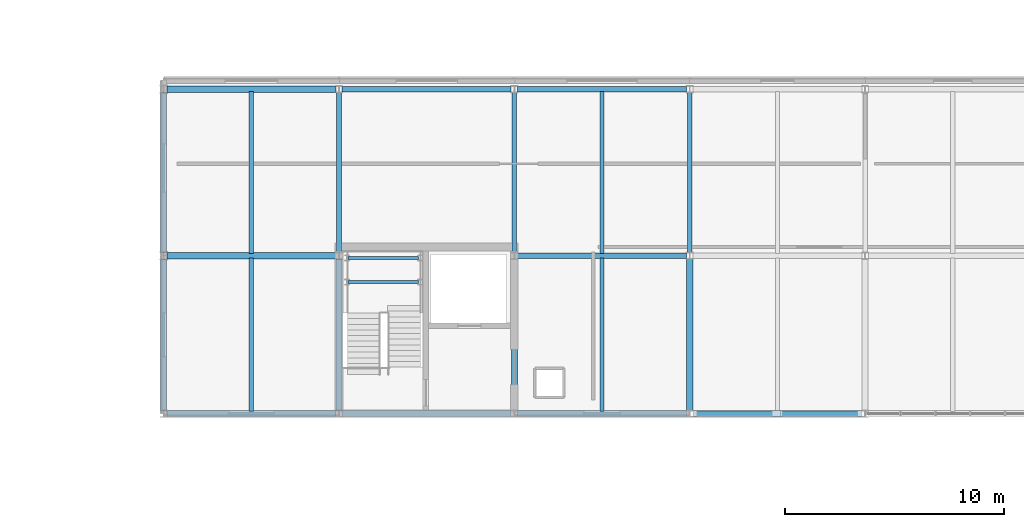
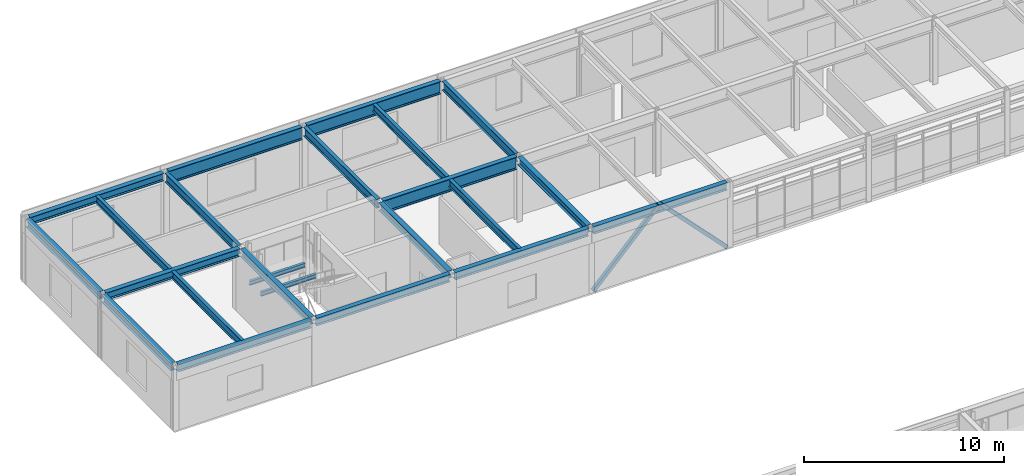
# One storey, part 20 of 45: 23 beams, 2 members.
"""IFC4 building model written with IfcOpenShell, lengths in metres."""

from ifc_helpers import new_model, si_unit, direction, frame, origin, origin_2d, place, context, subcontext, project, spatial, hollow_rectangle, i_section, extrude, material, material_profile, profile_set, type_object, element, save


model = new_model("IFC4")

# Units and contexts
model_context = context("Model", 3, precision=1e-05, world=origin(), true_north=direction((0.0, 1.0)))
body_context = subcontext(model_context, "Body", "Model", "MODEL_VIEW")
ifc_project = project(units=[si_unit("LENGTHUNIT", "METRE"), si_unit("AREAUNIT", "SQUARE_METRE"), si_unit("VOLUMEUNIT", "CUBIC_METRE"), si_unit("PLANEANGLEUNIT", "RADIAN"), si_unit("MASSUNIT", "GRAM", prefix="KILO")], contexts=[model_context])

# Site, building, storey
site_placement = place(None, origin())
site = spatial("IfcSite", under=ifc_project, at=site_placement, CompositionType="ELEMENT")
building_placement = place(site_placement, origin())
building = spatial("IfcBuilding", under=site, at=building_placement, Name="Zulena Civic Courthouse", CompositionType="ELEMENT")
storey_placement = place(building_placement, frame((0.0, 0.0, 29.39990234375)))
storey = spatial("IfcBuildingStorey", under=building, at=storey_placement, Name="L06", CompositionType="ELEMENT", Elevation=29.39990234375)

# Members
ifc_material_1 = material(Name="Steel ASTM A500 Grade C", Category="steel")
ifc_material_profile_1 = material_profile(ifc_material_1, hollow_rectangle(XDim=0.202880859375, YDim=0.202880859375, WallThickness=0.01171875, at=origin_2d()), Name="HSS8X8X1/2")
ifc_profile_set_1 = profile_set([ifc_material_profile_1], Name="Steel ASTM A500 Grade C")
member_type = type_object("IfcMemberType", Name="Brace_HSS8", PredefinedType="BRACE", material=ifc_profile_set_1)
for number, where, z_axis, x_axis, name in (
    (1, (36.14990234375, 46.0, 0.010009765625), (0.693277822184, 0.0, 0.72067042486), (0.0, 1.0, 0.0), "brace:V5:L06:5:0"),
    (2, (43.85009765625, 46.0, 0.010009765625), (-0.693277822184, 0.0, 0.72067042486), (0.0, -1.0, 0.0), "brace:V5:L06:5:1"),
):
    element("IfcMember", number, at=place(storey_placement, frame(where, z_axis=z_axis, x_axis=x_axis)), inside=storey, type_object=member_type, Name=name, PredefinedType="BRACE", context=body_context, shape_type="SweptSolid", body=[
        extrude(hollow_rectangle(XDim=0.202880859375, YDim=0.202880859375, WallThickness=0.01171875, at=origin_2d()), origin(), (0.0, 0.0, 1.0), 5.481201171875),
    ])

# Beams
ifc_material_2 = material(Name="Steel ASTM A992 Grade 50", Category="steel")
ifc_material_profile_2 = material_profile(ifc_material_2, i_section(OverallWidth=0.2099609375, OverallDepth=0.537109375, WebThickness=0.010986328125, FlangeThickness=0.017333984375, FilletRadius=0.0126953125, at=origin_2d()), Name="W21X68")
ifc_profile_set_2 = profile_set([ifc_material_profile_2], Name="Steel ASTM A992 Grade 50")
beam_type_1 = type_object("IfcBeamType", Name="Girder_W21X68", PredefinedType="BEAM", material=ifc_profile_set_2)
for number, where, z_axis, x_axis, name in (
    (3, (20.0, 53.344970703125, 3.7216796875), (0.0, 1.0, 0.0), (-1.0, 0.0, 0.0), "beam:Y:V5:L06:20.0:53.2_60.8"),
    (4, (28.0, 53.344970703125, 3.731689453125), (0.0, 1.0, 0.0), (-1.0, 0.0, 0.0), "beam:Y:V5:L06:28.0:53.2_60.8"),
    (5, (36.0, 53.344970703125, 3.731689453125), (0.0, 1.0, 0.0), (-1.0, 0.0, 0.0), "beam:Y:V5:L06:36.0:53.2_60.8"),
):
    element("IfcBeam", number, at=place(storey_placement, frame(where, z_axis=z_axis, x_axis=x_axis)), inside=storey, type_object=beam_type_1, Name=name, PredefinedType="BEAM", context=body_context, shape_type="SweptSolid", body=[
        extrude(i_section(OverallWidth=0.2099609375, OverallDepth=0.537109375, WebThickness=0.010986328125, FlangeThickness=0.017333984375, FilletRadius=0.0126953125, at=origin_2d()), origin(), (0.0, 0.0, 1.0), 7.31005859375),
    ])
ifc_material_profile_3 = material_profile(ifc_material_2, i_section(OverallWidth=0.26611328125, OverallDepth=0.779052734375, WebThickness=0.0166015625, FlangeThickness=0.030029296875, FilletRadius=0.0166015625, at=origin_2d()), Name="W30X148")
ifc_profile_set_3 = profile_set([ifc_material_profile_3], Name="Steel ASTM A992 Grade 50")
beam_type_2 = type_object("IfcBeamType", Name="Girder_W30X148", PredefinedType="BEAM", material=ifc_profile_set_3)
for number, where, z_axis, x_axis, name in (
    (6, (28.14501953125, 53.199951171875, 3.610595703125), (1.0, 0.0, 0.0), (0.0, 1.0, 0.0), "beam:X:V5:L06:53.2:28.0_36.0"),
    (7, (20.14501953125, 60.800048828125, 3.610595703125), (1.0, 0.0, 0.0), (0.0, 1.0, 0.0), "beam:X:V5:L06:60.8:20.0_28.0"),
    (8, (28.14501953125, 60.800048828125, 3.610595703125), (1.0, 0.0, 0.0), (0.0, 1.0, 0.0), "beam:X:V5:L06:60.8:28.0_36.0"),
):
    element("IfcBeam", number, at=place(storey_placement, frame(where, z_axis=z_axis, x_axis=x_axis)), inside=storey, type_object=beam_type_2, Name=name, PredefinedType="BEAM", context=body_context, shape_type="SweptSolid", body=[
        extrude(i_section(OverallWidth=0.26611328125, OverallDepth=0.779052734375, WebThickness=0.0166015625, FlangeThickness=0.030029296875, FilletRadius=0.0166015625, at=origin_2d()), origin(), (0.0, 0.0, 1.0), 7.7099609375),
    ])
ifc_material_profile_4 = material_profile(ifc_material_2, i_section(OverallWidth=0.14599609375, OverallDepth=0.258056640625, WebThickness=0.006103515625, FlangeThickness=0.009033203125, FilletRadius=0.007568359375, at=origin_2d()), Name="W10X22")
ifc_profile_set_4 = profile_set([ifc_material_profile_4], Name="Steel ASTM A992 Grade 50")
beam_type_3 = type_object("IfcBeamType", Name="Joist_W10X22", PredefinedType="JOIST", material=ifc_profile_set_4)
for number, where, z_axis, x_axis, name in (
    (9, (20.419921875, 52.0, 1.691162109375), (1.0, 0.0, 0.0), (0.0, 1.0, 0.0), "beam:lnd:K5A:L06:0"),
    (10, (20.419921875, 53.10009765625, 1.691162109375), (1.0, 0.0, 0.0), (0.0, 1.0, 0.0), "beam:lnd:K5A:L06:1"),
):
    element("IfcBeam", number, at=place(storey_placement, frame(where, z_axis=z_axis, x_axis=x_axis)), inside=storey, type_object=beam_type_3, Name=name, PredefinedType="JOIST", context=body_context, shape_type="SweptSolid", body=[
        extrude(i_section(OverallWidth=0.14599609375, OverallDepth=0.258056640625, WebThickness=0.006103515625, FlangeThickness=0.009033203125, FilletRadius=0.007568359375, at=origin_2d()), origin(), (0.0, 0.0, 1.0), 3.2001953125),
    ])
ifc_material_profile_5 = material_profile(ifc_material_2, i_section(OverallWidth=0.19091796875, OverallDepth=0.4599609375, WebThickness=0.010009765625, FlangeThickness=0.01611328125, FilletRadius=0.01025390625, at=origin_2d()), Name="W18X55")
ifc_profile_set_5 = profile_set([ifc_material_profile_5], Name="Steel ASTM A992 Grade 50")
beam_type_4 = type_object("IfcBeamType", Name="Joist_W18X55", PredefinedType="JOIST", material=ifc_profile_set_5)
beam_1_placement = place(storey_placement, frame((16.0, 46.10498046875, 3.760009765625), z_axis=(0.0, 1.0, 0.0), x_axis=(-1.0, 0.0, 0.0)))
element("IfcBeam", 11, at=beam_1_placement, inside=storey, type_object=beam_type_4, Name="joist:V5:L06:16.00:46.0_53.2", PredefinedType="JOIST", context=body_context, shape_type="SweptSolid", body=[
    extrude(i_section(OverallWidth=0.19091796875, OverallDepth=0.4599609375, WebThickness=0.010009765625, FlangeThickness=0.01611328125, FilletRadius=0.01025390625, at=origin_2d()), origin(), (0.0, 0.0, 1.0), 6.989990234375),
])
beam_2_placement = place(storey_placement, frame((16.0, 53.304931640625, 3.760009765625), z_axis=(0.0, 1.0, 0.0), x_axis=(-1.0, 0.0, 0.0)))
element("IfcBeam", 12, at=beam_2_placement, inside=storey, type_object=beam_type_4, Name="joist:V5:L06:16.00:53.2_60.8", PredefinedType="JOIST", context=body_context, shape_type="SweptSolid", body=[
    extrude(i_section(OverallWidth=0.19091796875, OverallDepth=0.4599609375, WebThickness=0.010009765625, FlangeThickness=0.01611328125, FilletRadius=0.01025390625, at=origin_2d()), origin(), (0.0, 0.0, 1.0), 7.39013671875),
])
beam_3_placement = place(storey_placement, frame((32.0, 46.10498046875, 3.77001953125), z_axis=(0.0, 1.0, 0.0), x_axis=(-1.0, 0.0, 0.0)))
element("IfcBeam", 13, at=beam_3_placement, inside=storey, type_object=beam_type_4, Name="joist:V5:L06:32.00:46.0_53.2", PredefinedType="JOIST", context=body_context, shape_type="SweptSolid", body=[
    extrude(i_section(OverallWidth=0.19091796875, OverallDepth=0.4599609375, WebThickness=0.010009765625, FlangeThickness=0.01611328125, FilletRadius=0.01025390625, at=origin_2d()), origin(), (0.0, 0.0, 1.0), 6.989990234375),
])
beam_4_placement = place(storey_placement, frame((32.0, 53.304931640625, 3.77001953125), z_axis=(0.0, 1.0, 0.0), x_axis=(-1.0, 0.0, 0.0)))
element("IfcBeam", 14, at=beam_4_placement, inside=storey, type_object=beam_type_4, Name="joist:V5:L06:32.00:53.2_60.8", PredefinedType="JOIST", context=body_context, shape_type="SweptSolid", body=[
    extrude(i_section(OverallWidth=0.19091796875, OverallDepth=0.4599609375, WebThickness=0.010009765625, FlangeThickness=0.01611328125, FilletRadius=0.01025390625, at=origin_2d()), origin(), (0.0, 0.0, 1.0), 7.39013671875),
])
ifc_material_profile_6 = material_profile(ifc_material_2, i_section(OverallWidth=0.280029296875, OverallDepth=0.462890625, WebThickness=0.0107421875, FlangeThickness=0.017333984375, FilletRadius=0.01025390625, at=origin_2d()), Name="W18X76")
ifc_profile_set_6 = profile_set([ifc_material_profile_6], Name="Steel ASTM A992 Grade 50")
beam_type_5 = type_object("IfcBeamType", Name="Spandrel_W18X76", PredefinedType="SPANDREL", material=ifc_profile_set_6)
for number, where, z_axis, x_axis, name in (
    (15, (12.14501953125, 46.0, 3.758544921875), (1.0, 0.0, 0.0), (0.0, 1.0, 0.0), "beam:X:V5:L06:46.0:12.0_20.0"),
    (16, (20.14501953125, 46.0, 3.7685546875), (1.0, 0.0, 0.0), (0.0, 1.0, 0.0), "beam:X:V5:L06:46.0:20.0_28.0"),
    (17, (28.14501953125, 46.0, 3.7685546875), (1.0, 0.0, 0.0), (0.0, 1.0, 0.0), "beam:X:V5:L06:46.0:28.0_36.0"),
    (18, (36.14501953125, 46.0, 3.7685546875), (1.0, 0.0, 0.0), (0.0, 1.0, 0.0), "beam:X:V5:L06:46.0:36.0_44.0"),
    (19, (12.14501953125, 53.199951171875, 3.758544921875), (1.0, 0.0, 0.0), (0.0, 1.0, 0.0), "beam:X:V5:L06:53.2:12.0_20.0"),
    (20, (12.14501953125, 60.800048828125, 3.758544921875), (1.0, 0.0, 0.0), (0.0, 1.0, 0.0), "beam:X:V5:L06:60.8:12.0_20.0"),
):
    element("IfcBeam", number, at=place(storey_placement, frame(where, z_axis=z_axis, x_axis=x_axis)), inside=storey, type_object=beam_type_5, Name=name, PredefinedType="SPANDREL", context=body_context, shape_type="SweptSolid", body=[
        extrude(i_section(OverallWidth=0.280029296875, OverallDepth=0.462890625, WebThickness=0.0107421875, FlangeThickness=0.017333984375, FilletRadius=0.01025390625, at=origin_2d()), origin(), (0.0, 0.0, 1.0), 7.7099609375),
    ])
beam_5_placement = place(storey_placement, frame((12.0, 46.14501953125, 3.758544921875), z_axis=(0.0, 1.0, 0.0), x_axis=(-1.0, 0.0, 0.0)))
element("IfcBeam", 21, at=beam_5_placement, inside=storey, type_object=beam_type_5, Name="beam:Y:V5:L06:12.0:46.0_53.2", PredefinedType="SPANDREL", context=body_context, shape_type="SweptSolid", body=[
    extrude(i_section(OverallWidth=0.280029296875, OverallDepth=0.462890625, WebThickness=0.0107421875, FlangeThickness=0.017333984375, FilletRadius=0.01025390625, at=origin_2d()), origin(), (0.0, 0.0, 1.0), 6.909912109375),
])
beam_6_placement = place(storey_placement, frame((12.0, 53.344970703125, 3.758544921875), z_axis=(0.0, 1.0, 0.0), x_axis=(-1.0, 0.0, 0.0)))
element("IfcBeam", 22, at=beam_6_placement, inside=storey, type_object=beam_type_5, Name="beam:Y:V5:L06:12.0:53.2_60.8", PredefinedType="SPANDREL", context=body_context, shape_type="SweptSolid", body=[
    extrude(i_section(OverallWidth=0.280029296875, OverallDepth=0.462890625, WebThickness=0.0107421875, FlangeThickness=0.017333984375, FilletRadius=0.01025390625, at=origin_2d()), origin(), (0.0, 0.0, 1.0), 7.31005859375),
])
for number, where, z_axis, x_axis, name in (
    (23, (20.0, 46.14501953125, 3.758544921875), (0.0, 1.0, 0.0), (-1.0, 0.0, 0.0), "beam:Y:V5:L06:20.0:46.0_53.2"),
    (24, (28.0, 46.14501953125, 3.7685546875), (0.0, 1.0, 0.0), (-1.0, 0.0, 0.0), "beam:Y:V5:L06:28.0:46.0_53.2"),
    (25, (36.0, 46.14501953125, 3.7685546875), (0.0, 1.0, 0.0), (-1.0, 0.0, 0.0), "beam:Y:V5:L06:36.0:46.0_53.2"),
):
    element("IfcBeam", number, at=place(storey_placement, frame(where, z_axis=z_axis, x_axis=x_axis)), inside=storey, type_object=beam_type_5, Name=name, PredefinedType="SPANDREL", context=body_context, shape_type="SweptSolid", body=[
        extrude(i_section(OverallWidth=0.280029296875, OverallDepth=0.462890625, WebThickness=0.0107421875, FlangeThickness=0.017333984375, FilletRadius=0.01025390625, at=origin_2d()), origin(), (0.0, 0.0, 1.0), 6.909912109375),
    ])

save(model, "model.ifc")
